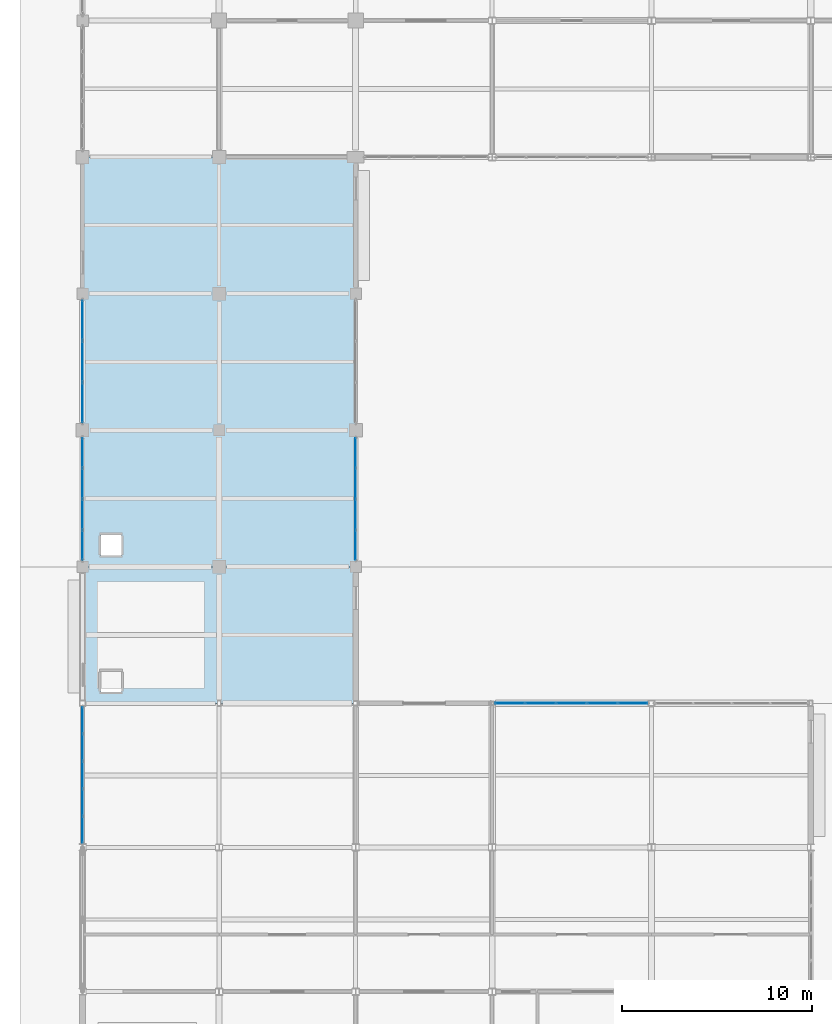
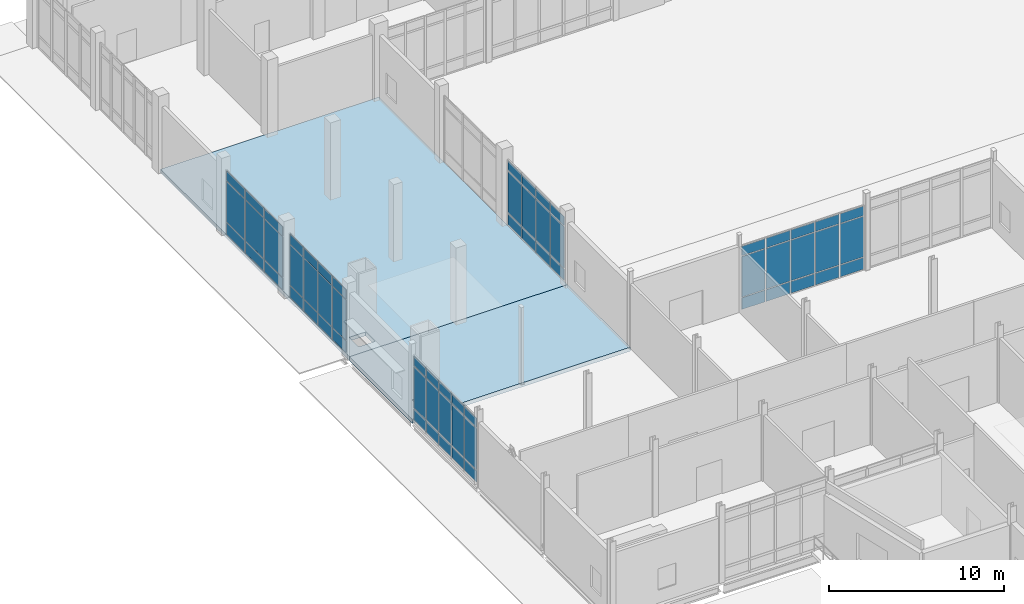
# One storey, part 146 of 229: 63 plates, 2 slabs, 5 elements without a shape of their own.
"""IFC4 building model written with IfcOpenShell, lengths in metres."""

from ifc_helpers import new_model, si_unit, direction, frame, origin, origin_2d, place, context, subcontext, project, spatial, polyline, rectangle, outline, extrude, material, layer, layer_set, type_object, element, aggregate, save


model = new_model("IFC4")

# Units and contexts
model_context = context("Model", 3, precision=1e-05, world=origin(), true_north=direction((0.0, 1.0)))
body_context = subcontext(model_context, "Body", "Model", "MODEL_VIEW")
ifc_project = project(units=[si_unit("LENGTHUNIT", "METRE"), si_unit("AREAUNIT", "SQUARE_METRE"), si_unit("VOLUMEUNIT", "CUBIC_METRE"), si_unit("PLANEANGLEUNIT", "RADIAN"), si_unit("MASSUNIT", "GRAM", prefix="KILO")], contexts=[model_context])

# Site, building, storey
site_placement = place(None, origin())
site = spatial("IfcSite", under=ifc_project, at=site_placement, CompositionType="ELEMENT")
building_placement = place(site_placement, origin())
building = spatial("IfcBuilding", under=site, at=building_placement, Name="Calvrana Isthmian Art Gallery", CompositionType="ELEMENT")
storey_placement = place(building_placement, origin())
storey = spatial("IfcBuildingStorey", under=building, at=storey_placement, Name="L00", CompositionType="ELEMENT", Elevation=0.0)

# Curtain wall, plates
ifc_material_1 = material(Name="Anodized bronze aluminium 6063-T6", Category="aluminium")
ifc_layer_1 = layer(ifc_material_1, 0.179931640625, Name="Anodized bronze aluminium 6063-T6")
ifc_layer_set_1 = layer_set([ifc_layer_1], Name="Anodized bronze aluminium 6063-T6")
curtain_wall_type_1 = type_object("IfcCurtainWallType", Name="CW-UNIT-081X45", PredefinedType="USERDEFINED", material=ifc_layer_set_1)
curtain_wall_1_placement = place(storey_placement, origin())
curtain_wall_1 = element("IfcCurtainWall", 1, at=curtain_wall_1_placement, inside=storey, type_object=curtain_wall_type_1, Name="Curtain wall CW-030", ObjectType="UNITISED CURTAIN WALL", PredefinedType="USERDEFINED")
ifc_material_2 = material(Name="Polychrome glazed terracotta", Category="masonry")
ifc_layer_2 = layer(ifc_material_2, 0.033935546875, Name="Polychrome glazed terracotta")
ifc_layer_set_2 = layer_set([ifc_layer_2], Name="Polychrome glazed terracotta")
plate_type_1 = type_object("IfcPlateType", Name="CWP-SPANDREL-34", PredefinedType="CURTAIN_PANEL", material=ifc_layer_set_2)
plate_1_placement = place(storey_placement, frame((22.53125, 69.60009765625, 0.06005859375), z_axis=(0.0, 0.0, 1.0), x_axis=(1.0, 0.0, 0.0)))
plate_1 = element("IfcPlate", 2, at=plate_1_placement, type_object=plate_type_1, Name="CW-030 panel 1.1", PredefinedType="CURTAIN_PANEL", context=body_context, shape_type="SweptSolid", body=[
    extrude(rectangle(XDim=1.539306640625, YDim=0.033935546875, at=origin_2d()), origin(), (0.0, 0.0, 1.0), 0.81005859375),
])
plate_2_placement = place(storey_placement, frame((22.53125, 69.60009765625, 0.93017578125), z_axis=(0.0, 0.0, 1.0), x_axis=(1.0, 0.0, 0.0)))
plate_2 = element("IfcPlate", 3, at=plate_2_placement, type_object=plate_type_1, Name="CW-030 panel 1.2", PredefinedType="CURTAIN_PANEL", context=body_context, shape_type="SweptSolid", body=[
    extrude(rectangle(XDim=1.539306640625, YDim=0.033935546875, at=origin_2d()), origin(), (0.0, 0.0, 1.0), 2.818115234375),
])
plate_3_placement = place(storey_placement, frame((22.53125, 69.60009765625, 3.80810546875), z_axis=(0.0, 0.0, 1.0), x_axis=(1.0, 0.0, 0.0)))
plate_3 = element("IfcPlate", 4, at=plate_3_placement, type_object=plate_type_1, Name="CW-030 panel 1.3", PredefinedType="CURTAIN_PANEL", context=body_context, shape_type="SweptSolid", body=[
    extrude(rectangle(XDim=1.539306640625, YDim=0.033935546875, at=origin_2d()), origin(), (0.0, 0.0, 1.0), 0.659912109375),
])
plate_4_placement = place(storey_placement, frame((24.1455078125, 69.60009765625, 0.06005859375), z_axis=(0.0, 0.0, 1.0), x_axis=(1.0, 0.0, 0.0)))
plate_4 = element("IfcPlate", 5, at=plate_4_placement, type_object=plate_type_1, Name="CW-030 panel 2.1", PredefinedType="CURTAIN_PANEL", context=body_context, shape_type="SweptSolid", body=[
    extrude(rectangle(XDim=1.569091796875, YDim=0.033935546875, at=origin_2d()), origin(), (0.0, 0.0, 1.0), 0.81005859375),
])
plate_5_placement = place(storey_placement, frame((24.1455078125, 69.60009765625, 0.93017578125), z_axis=(0.0, 0.0, 1.0), x_axis=(1.0, 0.0, 0.0)))
plate_5 = element("IfcPlate", 6, at=plate_5_placement, type_object=plate_type_1, Name="CW-030 panel 2.2", PredefinedType="CURTAIN_PANEL", context=body_context, shape_type="SweptSolid", body=[
    extrude(rectangle(XDim=1.569091796875, YDim=0.033935546875, at=origin_2d()), origin(), (0.0, 0.0, 1.0), 2.818115234375),
])
plate_6_placement = place(storey_placement, frame((24.1455078125, 69.60009765625, 3.80810546875), z_axis=(0.0, 0.0, 1.0), x_axis=(1.0, 0.0, 0.0)))
plate_6 = element("IfcPlate", 7, at=plate_6_placement, type_object=plate_type_1, Name="CW-030 panel 2.3", PredefinedType="CURTAIN_PANEL", context=body_context, shape_type="SweptSolid", body=[
    extrude(rectangle(XDim=1.569091796875, YDim=0.033935546875, at=origin_2d()), origin(), (0.0, 0.0, 1.0), 0.659912109375),
])
plate_7_placement = place(storey_placement, frame((25.774658203125, 69.60009765625, 0.06005859375), z_axis=(0.0, 0.0, 1.0), x_axis=(1.0, 0.0, 0.0)))
plate_7 = element("IfcPlate", 8, at=plate_7_placement, type_object=plate_type_1, Name="CW-030 panel 3.1", PredefinedType="CURTAIN_PANEL", context=body_context, shape_type="SweptSolid", body=[
    extrude(rectangle(XDim=1.569091796875, YDim=0.033935546875, at=origin_2d()), origin(), (0.0, 0.0, 1.0), 0.81005859375),
])
plate_8_placement = place(storey_placement, frame((25.774658203125, 69.60009765625, 0.93017578125), z_axis=(0.0, 0.0, 1.0), x_axis=(1.0, 0.0, 0.0)))
plate_8 = element("IfcPlate", 9, at=plate_8_placement, type_object=plate_type_1, Name="CW-030 panel 3.2", PredefinedType="CURTAIN_PANEL", context=body_context, shape_type="SweptSolid", body=[
    extrude(rectangle(XDim=1.569091796875, YDim=0.033935546875, at=origin_2d()), origin(), (0.0, 0.0, 1.0), 2.818115234375),
])
plate_9_placement = place(storey_placement, frame((25.774658203125, 69.60009765625, 3.80810546875), z_axis=(0.0, 0.0, 1.0), x_axis=(1.0, 0.0, 0.0)))
plate_9 = element("IfcPlate", 10, at=plate_9_placement, type_object=plate_type_1, Name="CW-030 panel 3.3", PredefinedType="CURTAIN_PANEL", context=body_context, shape_type="SweptSolid", body=[
    extrude(rectangle(XDim=1.569091796875, YDim=0.033935546875, at=origin_2d()), origin(), (0.0, 0.0, 1.0), 0.659912109375),
])
plate_10_placement = place(storey_placement, frame((27.40380859375, 69.60009765625, 0.06005859375), z_axis=(0.0, 0.0, 1.0), x_axis=(1.0, 0.0, 0.0)))
plate_10 = element("IfcPlate", 11, at=plate_10_placement, type_object=plate_type_1, Name="CW-030 panel 4.1", PredefinedType="CURTAIN_PANEL", context=body_context, shape_type="SweptSolid", body=[
    extrude(rectangle(XDim=1.569091796875, YDim=0.033935546875, at=origin_2d()), origin(), (0.0, 0.0, 1.0), 0.81005859375),
])
plate_11_placement = place(storey_placement, frame((27.40380859375, 69.60009765625, 0.93017578125), z_axis=(0.0, 0.0, 1.0), x_axis=(1.0, 0.0, 0.0)))
plate_11 = element("IfcPlate", 12, at=plate_11_placement, type_object=plate_type_1, Name="CW-030 panel 4.2", PredefinedType="CURTAIN_PANEL", context=body_context, shape_type="SweptSolid", body=[
    extrude(rectangle(XDim=1.569091796875, YDim=0.033935546875, at=origin_2d()), origin(), (0.0, 0.0, 1.0), 2.818115234375),
])
plate_12_placement = place(storey_placement, frame((27.40380859375, 69.60009765625, 3.80810546875), z_axis=(0.0, 0.0, 1.0), x_axis=(1.0, 0.0, 0.0)))
plate_12 = element("IfcPlate", 13, at=plate_12_placement, type_object=plate_type_1, Name="CW-030 panel 4.3", PredefinedType="CURTAIN_PANEL", context=body_context, shape_type="SweptSolid", body=[
    extrude(rectangle(XDim=1.569091796875, YDim=0.033935546875, at=origin_2d()), origin(), (0.0, 0.0, 1.0), 0.659912109375),
])
plate_13_placement = place(storey_placement, frame((29.01806640625, 69.60009765625, 0.06005859375), z_axis=(0.0, 0.0, 1.0), x_axis=(1.0, 0.0, 0.0)))
plate_13 = element("IfcPlate", 14, at=plate_13_placement, type_object=plate_type_1, Name="CW-030 panel 5.1", PredefinedType="CURTAIN_PANEL", context=body_context, shape_type="SweptSolid", body=[
    extrude(rectangle(XDim=1.539306640625, YDim=0.033935546875, at=origin_2d()), origin(), (0.0, 0.0, 1.0), 0.81005859375),
])
plate_14_placement = place(storey_placement, frame((29.01806640625, 69.60009765625, 0.93017578125), z_axis=(0.0, 0.0, 1.0), x_axis=(1.0, 0.0, 0.0)))
plate_14 = element("IfcPlate", 15, at=plate_14_placement, type_object=plate_type_1, Name="CW-030 panel 5.2", PredefinedType="CURTAIN_PANEL", context=body_context, shape_type="SweptSolid", body=[
    extrude(rectangle(XDim=1.539306640625, YDim=0.033935546875, at=origin_2d()), origin(), (0.0, 0.0, 1.0), 2.818115234375),
])
plate_15_placement = place(storey_placement, frame((29.01806640625, 69.60009765625, 3.80810546875), z_axis=(0.0, 0.0, 1.0), x_axis=(1.0, 0.0, 0.0)))
plate_15 = element("IfcPlate", 16, at=plate_15_placement, type_object=plate_type_1, Name="CW-030 panel 5.3", PredefinedType="CURTAIN_PANEL", context=body_context, shape_type="SweptSolid", body=[
    extrude(rectangle(XDim=1.539306640625, YDim=0.033935546875, at=origin_2d()), origin(), (0.0, 0.0, 1.0), 0.659912109375),
])
aggregate(curtain_wall_1, [plate_1, plate_2, plate_3, plate_4, plate_5, plate_6, plate_7, plate_8, plate_9, plate_10, plate_11, plate_12, plate_13, plate_14, plate_15])

ifc_layer_3 = layer(ifc_material_1, 0.179931640625, Name="Anodized bronze aluminium 6063-T6")
ifc_layer_set_3 = layer_set([ifc_layer_3], Name="Anodized bronze aluminium 6063-T6")
curtain_wall_type_2 = type_object("IfcCurtainWallType", Name="CW-STICK-066X45", PredefinedType="NOTDEFINED", material=ifc_layer_set_3)
curtain_wall_2_placement = place(storey_placement, origin())
curtain_wall_2 = element("IfcCurtainWall", 17, at=curtain_wall_2_placement, inside=storey, type_object=curtain_wall_type_2, Name="Curtain wall CW-050", PredefinedType="NOTDEFINED")
plate_16_placement = place(storey_placement, frame((0.0, 77.93505859375, 0.06005859375), z_axis=(0.0, 0.0, 1.0), x_axis=(0.0, 1.0, 0.0)))
plate_16 = element("IfcPlate", 18, at=plate_16_placement, type_object=plate_type_1, Name="CW-050 panel 1.1", PredefinedType="CURTAIN_PANEL", context=body_context, shape_type="SweptSolid", body=[
    extrude(rectangle(XDim=1.5400390625, YDim=0.033935546875, at=origin_2d()), origin(), (0.0, 0.0, 1.0), 0.81005859375),
])
plate_17_placement = place(storey_placement, frame((0.0, 77.93505859375, 0.93017578125), z_axis=(0.0, 0.0, 1.0), x_axis=(0.0, 1.0, 0.0)))
plate_17 = element("IfcPlate", 19, at=plate_17_placement, type_object=plate_type_1, Name="CW-050 panel 1.2", PredefinedType="CURTAIN_PANEL", context=body_context, shape_type="SweptSolid", body=[
    extrude(rectangle(XDim=1.5400390625, YDim=0.033935546875, at=origin_2d()), origin(), (0.0, 0.0, 1.0), 2.818115234375),
])
plate_18_placement = place(storey_placement, frame((0.0, 77.93505859375, 3.80810546875), z_axis=(0.0, 0.0, 1.0), x_axis=(0.0, 1.0, 0.0)))
plate_18 = element("IfcPlate", 20, at=plate_18_placement, type_object=plate_type_1, Name="CW-050 panel 1.3", PredefinedType="CURTAIN_PANEL", context=body_context, shape_type="SweptSolid", body=[
    extrude(rectangle(XDim=1.5400390625, YDim=0.033935546875, at=origin_2d()), origin(), (0.0, 0.0, 1.0), 0.659912109375),
])
plate_19_placement = place(storey_placement, frame((0.0, 79.55615234375, 0.06005859375), z_axis=(0.0, 0.0, 1.0), x_axis=(0.0, 1.0, 0.0)))
plate_19 = element("IfcPlate", 21, at=plate_19_placement, type_object=plate_type_1, Name="CW-050 panel 2.1", PredefinedType="CURTAIN_PANEL", context=body_context, shape_type="SweptSolid", body=[
    extrude(rectangle(XDim=1.572509765625, YDim=0.033935546875, at=origin_2d()), origin(), (0.0, 0.0, 1.0), 0.81005859375),
])
plate_20_placement = place(storey_placement, frame((0.0, 79.55615234375, 0.93017578125), z_axis=(0.0, 0.0, 1.0), x_axis=(0.0, 1.0, 0.0)))
plate_20 = element("IfcPlate", 22, at=plate_20_placement, type_object=plate_type_1, Name="CW-050 panel 2.2", PredefinedType="CURTAIN_PANEL", context=body_context, shape_type="SweptSolid", body=[
    extrude(rectangle(XDim=1.572509765625, YDim=0.033935546875, at=origin_2d()), origin(), (0.0, 0.0, 1.0), 2.818115234375),
])
plate_21_placement = place(storey_placement, frame((0.0, 79.55615234375, 3.80810546875), z_axis=(0.0, 0.0, 1.0), x_axis=(0.0, 1.0, 0.0)))
plate_21 = element("IfcPlate", 23, at=plate_21_placement, type_object=plate_type_1, Name="CW-050 panel 2.3", PredefinedType="CURTAIN_PANEL", context=body_context, shape_type="SweptSolid", body=[
    extrude(rectangle(XDim=1.572509765625, YDim=0.033935546875, at=origin_2d()), origin(), (0.0, 0.0, 1.0), 0.659912109375),
])
plate_22_placement = place(storey_placement, frame((0.0, 81.19384765625, 0.06005859375), z_axis=(0.0, 0.0, 1.0), x_axis=(0.0, 1.0, 0.0)))
plate_22 = element("IfcPlate", 24, at=plate_22_placement, type_object=plate_type_1, Name="CW-050 panel 3.1", PredefinedType="CURTAIN_PANEL", context=body_context, shape_type="SweptSolid", body=[
    extrude(rectangle(XDim=1.572509765625, YDim=0.033935546875, at=origin_2d()), origin(), (0.0, 0.0, 1.0), 0.81005859375),
])
plate_23_placement = place(storey_placement, frame((0.0, 81.19384765625, 0.93017578125), z_axis=(0.0, 0.0, 1.0), x_axis=(0.0, 1.0, 0.0)))
plate_23 = element("IfcPlate", 25, at=plate_23_placement, type_object=plate_type_1, Name="CW-050 panel 3.2", PredefinedType="CURTAIN_PANEL", context=body_context, shape_type="SweptSolid", body=[
    extrude(rectangle(XDim=1.572509765625, YDim=0.033935546875, at=origin_2d()), origin(), (0.0, 0.0, 1.0), 2.818115234375),
])
plate_24_placement = place(storey_placement, frame((0.0, 81.19384765625, 3.80810546875), z_axis=(0.0, 0.0, 1.0), x_axis=(0.0, 1.0, 0.0)))
plate_24 = element("IfcPlate", 26, at=plate_24_placement, type_object=plate_type_1, Name="CW-050 panel 3.3", PredefinedType="CURTAIN_PANEL", context=body_context, shape_type="SweptSolid", body=[
    extrude(rectangle(XDim=1.572509765625, YDim=0.033935546875, at=origin_2d()), origin(), (0.0, 0.0, 1.0), 0.659912109375),
])
plate_25_placement = place(storey_placement, frame((0.0, 82.81494140625, 0.06005859375), z_axis=(0.0, 0.0, 1.0), x_axis=(0.0, 1.0, 0.0)))
plate_25 = element("IfcPlate", 27, at=plate_25_placement, type_object=plate_type_1, Name="CW-050 panel 4.1", PredefinedType="CURTAIN_PANEL", context=body_context, shape_type="SweptSolid", body=[
    extrude(rectangle(XDim=1.5400390625, YDim=0.033935546875, at=origin_2d()), origin(), (0.0, 0.0, 1.0), 0.81005859375),
])
plate_26_placement = place(storey_placement, frame((0.0, 82.81494140625, 0.93017578125), z_axis=(0.0, 0.0, 1.0), x_axis=(0.0, 1.0, 0.0)))
plate_26 = element("IfcPlate", 28, at=plate_26_placement, type_object=plate_type_1, Name="CW-050 panel 4.2", PredefinedType="CURTAIN_PANEL", context=body_context, shape_type="SweptSolid", body=[
    extrude(rectangle(XDim=1.5400390625, YDim=0.033935546875, at=origin_2d()), origin(), (0.0, 0.0, 1.0), 2.818115234375),
])
plate_27_placement = place(storey_placement, frame((0.0, 82.81494140625, 3.80810546875), z_axis=(0.0, 0.0, 1.0), x_axis=(0.0, 1.0, 0.0)))
plate_27 = element("IfcPlate", 29, at=plate_27_placement, type_object=plate_type_1, Name="CW-050 panel 4.3", PredefinedType="CURTAIN_PANEL", context=body_context, shape_type="SweptSolid", body=[
    extrude(rectangle(XDim=1.5400390625, YDim=0.033935546875, at=origin_2d()), origin(), (0.0, 0.0, 1.0), 0.659912109375),
])
aggregate(curtain_wall_2, [plate_16, plate_17, plate_18, plate_19, plate_20, plate_21, plate_22, plate_23, plate_24, plate_25, plate_26, plate_27])

ifc_layer_4 = layer(ifc_material_1, 0.179931640625, Name="Anodized bronze aluminium 6063-T6")
ifc_layer_set_4 = layer_set([ifc_layer_4], Name="Anodized bronze aluminium 6063-T6")
curtain_wall_type_3 = type_object("IfcCurtainWallType", Name="CW-STICK-073X46", PredefinedType="NOTDEFINED", material=ifc_layer_set_4)
curtain_wall_3_placement = place(storey_placement, origin())
curtain_wall_3 = element("IfcCurtainWall", 30, at=curtain_wall_3_placement, inside=storey, type_object=curtain_wall_type_3, Name="Curtain wall CW-049", PredefinedType="NOTDEFINED")
ifc_material_3 = material(Name="Low-E laminated solar glass", Category="glass")
ifc_layer_5 = layer(ifc_material_3, 0.028076171875, Name="Low-E laminated solar glass")
ifc_layer_set_5 = layer_set([ifc_layer_5], Name="Low-E laminated solar glass")
plate_type_2 = type_object("IfcPlateType", Name="CWP-VISION-28", PredefinedType="CURTAIN_PANEL", material=ifc_layer_set_5)
plate_28_placement = place(storey_placement, frame((0.0, 62.923095703125, 0.074951171875), z_axis=(0.0, 0.0, 1.0), x_axis=(0.0, 1.0, 0.0)))
plate_28 = element("IfcPlate", 31, at=plate_28_placement, type_object=plate_type_2, Name="CW-049 panel 1.1", PredefinedType="CURTAIN_PANEL", context=body_context, shape_type="SweptSolid", body=[
    extrude(rectangle(XDim=1.36328125, YDim=0.028076171875, at=origin_2d()), origin(), (0.0, 0.0, 1.0), 0.78759765625),
])
plate_29_placement = place(storey_placement, frame((0.0, 62.923095703125, 0.9375), z_axis=(0.0, 0.0, 1.0), x_axis=(0.0, 1.0, 0.0)))
plate_29 = element("IfcPlate", 32, at=plate_29_placement, type_object=plate_type_2, Name="CW-049 panel 1.2", PredefinedType="CURTAIN_PANEL", context=body_context, shape_type="SweptSolid", body=[
    extrude(rectangle(XDim=1.36328125, YDim=0.028076171875, at=origin_2d()), origin(), (0.0, 0.0, 1.0), 2.882080078125),
])
plate_30_placement = place(storey_placement, frame((0.0, 62.923095703125, 3.89453125), z_axis=(0.0, 0.0, 1.0), x_axis=(0.0, 1.0, 0.0)))
plate_30 = element("IfcPlate", 33, at=plate_30_placement, type_object=plate_type_2, Name="CW-049 panel 1.3", PredefinedType="CURTAIN_PANEL", context=body_context, shape_type="SweptSolid", body=[
    extrude(rectangle(XDim=1.36328125, YDim=0.028076171875, at=origin_2d()), origin(), (0.0, 0.0, 1.0), 0.637451171875),
])
plate_31_placement = place(storey_placement, frame((0.0, 64.361328125, 0.074951171875), z_axis=(0.0, 0.0, 1.0), x_axis=(0.0, 1.0, 0.0)))
plate_31 = element("IfcPlate", 34, at=plate_31_placement, type_object=plate_type_2, Name="CW-049 panel 2.1", PredefinedType="CURTAIN_PANEL", context=body_context, shape_type="SweptSolid", body=[
    extrude(rectangle(XDim=1.393310546875, YDim=0.028076171875, at=origin_2d()), origin(), (0.0, 0.0, 1.0), 0.78759765625),
])
plate_32_placement = place(storey_placement, frame((0.0, 64.361328125, 0.9375), z_axis=(0.0, 0.0, 1.0), x_axis=(0.0, 1.0, 0.0)))
plate_32 = element("IfcPlate", 35, at=plate_32_placement, type_object=plate_type_2, Name="CW-049 panel 2.2", PredefinedType="CURTAIN_PANEL", context=body_context, shape_type="SweptSolid", body=[
    extrude(rectangle(XDim=1.393310546875, YDim=0.028076171875, at=origin_2d()), origin(), (0.0, 0.0, 1.0), 2.882080078125),
])
plate_33_placement = place(storey_placement, frame((0.0, 64.361328125, 3.89453125), z_axis=(0.0, 0.0, 1.0), x_axis=(0.0, 1.0, 0.0)))
plate_33 = element("IfcPlate", 36, at=plate_33_placement, type_object=plate_type_2, Name="CW-049 panel 2.3", PredefinedType="CURTAIN_PANEL", context=body_context, shape_type="SweptSolid", body=[
    extrude(rectangle(XDim=1.393310546875, YDim=0.028076171875, at=origin_2d()), origin(), (0.0, 0.0, 1.0), 0.637451171875),
])
plate_34_placement = place(storey_placement, frame((0.0, 65.814453125, 0.074951171875), z_axis=(0.0, 0.0, 1.0), x_axis=(0.0, 1.0, 0.0)))
plate_34 = element("IfcPlate", 37, at=plate_34_placement, type_object=plate_type_2, Name="CW-049 panel 3.1", PredefinedType="CURTAIN_PANEL", context=body_context, shape_type="SweptSolid", body=[
    extrude(rectangle(XDim=1.393310546875, YDim=0.028076171875, at=origin_2d()), origin(), (0.0, 0.0, 1.0), 0.78759765625),
])
plate_35_placement = place(storey_placement, frame((0.0, 65.814453125, 0.9375), z_axis=(0.0, 0.0, 1.0), x_axis=(0.0, 1.0, 0.0)))
plate_35 = element("IfcPlate", 38, at=plate_35_placement, type_object=plate_type_2, Name="CW-049 panel 3.2", PredefinedType="CURTAIN_PANEL", context=body_context, shape_type="SweptSolid", body=[
    extrude(rectangle(XDim=1.393310546875, YDim=0.028076171875, at=origin_2d()), origin(), (0.0, 0.0, 1.0), 2.882080078125),
])
plate_36_placement = place(storey_placement, frame((0.0, 65.814453125, 3.89453125), z_axis=(0.0, 0.0, 1.0), x_axis=(0.0, 1.0, 0.0)))
plate_36 = element("IfcPlate", 39, at=plate_36_placement, type_object=plate_type_2, Name="CW-049 panel 3.3", PredefinedType="CURTAIN_PANEL", context=body_context, shape_type="SweptSolid", body=[
    extrude(rectangle(XDim=1.393310546875, YDim=0.028076171875, at=origin_2d()), origin(), (0.0, 0.0, 1.0), 0.637451171875),
])
plate_37_placement = place(storey_placement, frame((0.0, 67.267822265625, 0.074951171875), z_axis=(0.0, 0.0, 1.0), x_axis=(0.0, 1.0, 0.0)))
plate_37 = element("IfcPlate", 40, at=plate_37_placement, type_object=plate_type_2, Name="CW-049 panel 4.1", PredefinedType="CURTAIN_PANEL", context=body_context, shape_type="SweptSolid", body=[
    extrude(rectangle(XDim=1.393310546875, YDim=0.028076171875, at=origin_2d()), origin(), (0.0, 0.0, 1.0), 0.78759765625),
])
plate_38_placement = place(storey_placement, frame((0.0, 67.267822265625, 0.9375), z_axis=(0.0, 0.0, 1.0), x_axis=(0.0, 1.0, 0.0)))
plate_38 = element("IfcPlate", 41, at=plate_38_placement, type_object=plate_type_2, Name="CW-049 panel 4.2", PredefinedType="CURTAIN_PANEL", context=body_context, shape_type="SweptSolid", body=[
    extrude(rectangle(XDim=1.393310546875, YDim=0.028076171875, at=origin_2d()), origin(), (0.0, 0.0, 1.0), 2.882080078125),
])
plate_39_placement = place(storey_placement, frame((0.0, 67.267822265625, 3.89453125), z_axis=(0.0, 0.0, 1.0), x_axis=(0.0, 1.0, 0.0)))
plate_39 = element("IfcPlate", 42, at=plate_39_placement, type_object=plate_type_2, Name="CW-049 panel 4.3", PredefinedType="CURTAIN_PANEL", context=body_context, shape_type="SweptSolid", body=[
    extrude(rectangle(XDim=1.393310546875, YDim=0.028076171875, at=origin_2d()), origin(), (0.0, 0.0, 1.0), 0.637451171875),
])
plate_40_placement = place(storey_placement, frame((0.0, 68.7060546875, 0.074951171875), z_axis=(0.0, 0.0, 1.0), x_axis=(0.0, 1.0, 0.0)))
plate_40 = element("IfcPlate", 43, at=plate_40_placement, type_object=plate_type_2, Name="CW-049 panel 5.1", PredefinedType="CURTAIN_PANEL", context=body_context, shape_type="SweptSolid", body=[
    extrude(rectangle(XDim=1.36328125, YDim=0.028076171875, at=origin_2d()), origin(), (0.0, 0.0, 1.0), 0.78759765625),
])
plate_41_placement = place(storey_placement, frame((0.0, 68.7060546875, 0.9375), z_axis=(0.0, 0.0, 1.0), x_axis=(0.0, 1.0, 0.0)))
plate_41 = element("IfcPlate", 44, at=plate_41_placement, type_object=plate_type_2, Name="CW-049 panel 5.2", PredefinedType="CURTAIN_PANEL", context=body_context, shape_type="SweptSolid", body=[
    extrude(rectangle(XDim=1.36328125, YDim=0.028076171875, at=origin_2d()), origin(), (0.0, 0.0, 1.0), 2.882080078125),
])
plate_42_placement = place(storey_placement, frame((0.0, 68.7060546875, 3.89453125), z_axis=(0.0, 0.0, 1.0), x_axis=(0.0, 1.0, 0.0)))
plate_42 = element("IfcPlate", 45, at=plate_42_placement, type_object=plate_type_2, Name="CW-049 panel 5.3", PredefinedType="CURTAIN_PANEL", context=body_context, shape_type="SweptSolid", body=[
    extrude(rectangle(XDim=1.36328125, YDim=0.028076171875, at=origin_2d()), origin(), (0.0, 0.0, 1.0), 0.637451171875),
])
aggregate(curtain_wall_3, [plate_28, plate_29, plate_30, plate_31, plate_32, plate_33, plate_34, plate_35, plate_36, plate_37, plate_38, plate_39, plate_40, plate_41, plate_42])

curtain_wall_4_placement = place(storey_placement, origin())
curtain_wall_4 = element("IfcCurtainWall", 46, at=curtain_wall_4_placement, inside=storey, type_object=curtain_wall_type_2, Name="Curtain wall CW-051", PredefinedType="NOTDEFINED")
plate_43_placement = place(storey_placement, frame((0.0, 85.459228515625, 0.06005859375), z_axis=(0.0, 0.0, 1.0), x_axis=(0.0, 1.0, 0.0)))
plate_43 = element("IfcPlate", 47, at=plate_43_placement, type_object=plate_type_2, Name="CW-051 panel 1.1", PredefinedType="CURTAIN_PANEL", context=body_context, shape_type="SweptSolid", body=[
    extrude(rectangle(XDim=2.078369140625, YDim=0.028076171875, at=origin_2d()), origin(), (0.0, 0.0, 1.0), 0.81005859375),
])
plate_44_placement = place(storey_placement, frame((0.0, 85.459228515625, 0.93017578125), z_axis=(0.0, 0.0, 1.0), x_axis=(0.0, 1.0, 0.0)))
plate_44 = element("IfcPlate", 48, at=plate_44_placement, type_object=plate_type_2, Name="CW-051 panel 1.2", PredefinedType="CURTAIN_PANEL", context=body_context, shape_type="SweptSolid", body=[
    extrude(rectangle(XDim=2.078369140625, YDim=0.028076171875, at=origin_2d()), origin(), (0.0, 0.0, 1.0), 2.822998046875),
])
plate_45_placement = place(storey_placement, frame((0.0, 85.459228515625, 3.81298828125), z_axis=(0.0, 0.0, 1.0), x_axis=(0.0, 1.0, 0.0)))
plate_45 = element("IfcPlate", 49, at=plate_45_placement, type_object=plate_type_2, Name="CW-051 panel 1.3", PredefinedType="CURTAIN_PANEL", context=body_context, shape_type="SweptSolid", body=[
    extrude(rectangle(XDim=2.078369140625, YDim=0.028076171875, at=origin_2d()), origin(), (0.0, 0.0, 1.0), 0.659912109375),
])
plate_46_placement = place(storey_placement, frame((0.0, 87.625, 0.06005859375), z_axis=(0.0, 0.0, 1.0), x_axis=(0.0, 1.0, 0.0)))
plate_46 = element("IfcPlate", 50, at=plate_46_placement, type_object=plate_type_2, Name="CW-051 panel 2.1", PredefinedType="CURTAIN_PANEL", context=body_context, shape_type="SweptSolid", body=[
    extrude(rectangle(XDim=2.11328125, YDim=0.028076171875, at=origin_2d()), origin(), (0.0, 0.0, 1.0), 0.81005859375),
])
plate_47_placement = place(storey_placement, frame((0.0, 87.625, 0.93017578125), z_axis=(0.0, 0.0, 1.0), x_axis=(0.0, 1.0, 0.0)))
plate_47 = element("IfcPlate", 51, at=plate_47_placement, type_object=plate_type_2, Name="CW-051 panel 2.2", PredefinedType="CURTAIN_PANEL", context=body_context, shape_type="SweptSolid", body=[
    extrude(rectangle(XDim=2.11328125, YDim=0.028076171875, at=origin_2d()), origin(), (0.0, 0.0, 1.0), 2.822998046875),
])
plate_48_placement = place(storey_placement, frame((0.0, 87.625, 3.81298828125), z_axis=(0.0, 0.0, 1.0), x_axis=(0.0, 1.0, 0.0)))
plate_48 = element("IfcPlate", 52, at=plate_48_placement, type_object=plate_type_2, Name="CW-051 panel 2.3", PredefinedType="CURTAIN_PANEL", context=body_context, shape_type="SweptSolid", body=[
    extrude(rectangle(XDim=2.11328125, YDim=0.028076171875, at=origin_2d()), origin(), (0.0, 0.0, 1.0), 0.659912109375),
])
plate_49_placement = place(storey_placement, frame((0.0, 89.790771484375, 0.06005859375), z_axis=(0.0, 0.0, 1.0), x_axis=(0.0, 1.0, 0.0)))
plate_49 = element("IfcPlate", 53, at=plate_49_placement, type_object=plate_type_2, Name="CW-051 panel 3.1", PredefinedType="CURTAIN_PANEL", context=body_context, shape_type="SweptSolid", body=[
    extrude(rectangle(XDim=2.078369140625, YDim=0.028076171875, at=origin_2d()), origin(), (0.0, 0.0, 1.0), 0.81005859375),
])
plate_50_placement = place(storey_placement, frame((0.0, 89.790771484375, 0.93017578125), z_axis=(0.0, 0.0, 1.0), x_axis=(0.0, 1.0, 0.0)))
plate_50 = element("IfcPlate", 54, at=plate_50_placement, type_object=plate_type_2, Name="CW-051 panel 3.2", PredefinedType="CURTAIN_PANEL", context=body_context, shape_type="SweptSolid", body=[
    extrude(rectangle(XDim=2.078369140625, YDim=0.028076171875, at=origin_2d()), origin(), (0.0, 0.0, 1.0), 2.822998046875),
])
plate_51_placement = place(storey_placement, frame((0.0, 89.790771484375, 3.81298828125), z_axis=(0.0, 0.0, 1.0), x_axis=(0.0, 1.0, 0.0)))
plate_51 = element("IfcPlate", 55, at=plate_51_placement, type_object=plate_type_2, Name="CW-051 panel 3.3", PredefinedType="CURTAIN_PANEL", context=body_context, shape_type="SweptSolid", body=[
    extrude(rectangle(XDim=2.078369140625, YDim=0.028076171875, at=origin_2d()), origin(), (0.0, 0.0, 1.0), 0.659912109375),
])
aggregate(curtain_wall_4, [plate_43, plate_44, plate_45, plate_46, plate_47, plate_48, plate_49, plate_50, plate_51])

ifc_layer_6 = layer(ifc_material_1, 0.179931640625, Name="Anodized bronze aluminium 6063-T6")
ifc_layer_set_6 = layer_set([ifc_layer_6], Name="Anodized bronze aluminium 6063-T6")
curtain_wall_type_4 = type_object("IfcCurtainWallType", Name="CW-UNIT-066X46", PredefinedType="USERDEFINED", material=ifc_layer_set_6)
curtain_wall_5_placement = place(storey_placement, origin())
curtain_wall_5 = element("IfcCurtainWall", 56, at=curtain_wall_5_placement, inside=storey, type_object=curtain_wall_type_4, Name="Curtain wall CW-054", ObjectType="UNITISED CURTAIN WALL", PredefinedType="USERDEFINED")
plate_52_placement = place(storey_placement, frame((14.39990234375, 82.816162109375, 0.074951171875), z_axis=(0.0, 0.0, 1.0), x_axis=(0.0, -1.0, 0.0)))
plate_52 = element("IfcPlate", 57, at=plate_52_placement, type_object=plate_type_2, Name="CW-054 panel 1.1", PredefinedType="CURTAIN_PANEL", context=body_context, shape_type="SweptSolid", body=[
    extrude(rectangle(XDim=1.547607421875, YDim=0.028076171875, at=origin_2d()), origin(), (0.0, 0.0, 1.0), 0.78759765625),
])
plate_53_placement = place(storey_placement, frame((14.39990234375, 82.816162109375, 0.9375), z_axis=(0.0, 0.0, 1.0), x_axis=(0.0, -1.0, 0.0)))
plate_53 = element("IfcPlate", 58, at=plate_53_placement, type_object=plate_type_2, Name="CW-054 panel 1.2", PredefinedType="CURTAIN_PANEL", context=body_context, shape_type="SweptSolid", body=[
    extrude(rectangle(XDim=1.547607421875, YDim=0.028076171875, at=origin_2d()), origin(), (0.0, 0.0, 1.0), 2.882080078125),
])
plate_54_placement = place(storey_placement, frame((14.39990234375, 82.816162109375, 3.89453125), z_axis=(0.0, 0.0, 1.0), x_axis=(0.0, -1.0, 0.0)))
plate_54 = element("IfcPlate", 59, at=plate_54_placement, type_object=plate_type_2, Name="CW-054 panel 1.3", PredefinedType="CURTAIN_PANEL", context=body_context, shape_type="SweptSolid", body=[
    extrude(rectangle(XDim=1.547607421875, YDim=0.028076171875, at=origin_2d()), origin(), (0.0, 0.0, 1.0), 0.637451171875),
])
plate_55_placement = place(storey_placement, frame((14.39990234375, 81.19384765625, 0.074951171875), z_axis=(0.0, 0.0, 1.0), x_axis=(0.0, -1.0, 0.0)))
plate_55 = element("IfcPlate", 60, at=plate_55_placement, type_object=plate_type_2, Name="CW-054 panel 2.1", PredefinedType="CURTAIN_PANEL", context=body_context, shape_type="SweptSolid", body=[
    extrude(rectangle(XDim=1.577392578125, YDim=0.028076171875, at=origin_2d()), origin(), (0.0, 0.0, 1.0), 0.78759765625),
])
plate_56_placement = place(storey_placement, frame((14.39990234375, 81.19384765625, 0.9375), z_axis=(0.0, 0.0, 1.0), x_axis=(0.0, -1.0, 0.0)))
plate_56 = element("IfcPlate", 61, at=plate_56_placement, type_object=plate_type_2, Name="CW-054 panel 2.2", PredefinedType="CURTAIN_PANEL", context=body_context, shape_type="SweptSolid", body=[
    extrude(rectangle(XDim=1.577392578125, YDim=0.028076171875, at=origin_2d()), origin(), (0.0, 0.0, 1.0), 2.882080078125),
])
plate_57_placement = place(storey_placement, frame((14.39990234375, 81.19384765625, 3.89453125), z_axis=(0.0, 0.0, 1.0), x_axis=(0.0, -1.0, 0.0)))
plate_57 = element("IfcPlate", 62, at=plate_57_placement, type_object=plate_type_2, Name="CW-054 panel 2.3", PredefinedType="CURTAIN_PANEL", context=body_context, shape_type="SweptSolid", body=[
    extrude(rectangle(XDim=1.577392578125, YDim=0.028076171875, at=origin_2d()), origin(), (0.0, 0.0, 1.0), 0.637451171875),
])
plate_58_placement = place(storey_placement, frame((14.39990234375, 79.55615234375, 0.074951171875), z_axis=(0.0, 0.0, 1.0), x_axis=(0.0, -1.0, 0.0)))
plate_58 = element("IfcPlate", 63, at=plate_58_placement, type_object=plate_type_2, Name="CW-054 panel 3.1", PredefinedType="CURTAIN_PANEL", context=body_context, shape_type="SweptSolid", body=[
    extrude(rectangle(XDim=1.577392578125, YDim=0.028076171875, at=origin_2d()), origin(), (0.0, 0.0, 1.0), 0.78759765625),
])
plate_59_placement = place(storey_placement, frame((14.39990234375, 79.55615234375, 0.9375), z_axis=(0.0, 0.0, 1.0), x_axis=(0.0, -1.0, 0.0)))
plate_59 = element("IfcPlate", 64, at=plate_59_placement, type_object=plate_type_2, Name="CW-054 panel 3.2", PredefinedType="CURTAIN_PANEL", context=body_context, shape_type="SweptSolid", body=[
    extrude(rectangle(XDim=1.577392578125, YDim=0.028076171875, at=origin_2d()), origin(), (0.0, 0.0, 1.0), 2.882080078125),
])
plate_60_placement = place(storey_placement, frame((14.39990234375, 79.55615234375, 3.89453125), z_axis=(0.0, 0.0, 1.0), x_axis=(0.0, -1.0, 0.0)))
plate_60 = element("IfcPlate", 65, at=plate_60_placement, type_object=plate_type_2, Name="CW-054 panel 3.3", PredefinedType="CURTAIN_PANEL", context=body_context, shape_type="SweptSolid", body=[
    extrude(rectangle(XDim=1.577392578125, YDim=0.028076171875, at=origin_2d()), origin(), (0.0, 0.0, 1.0), 0.637451171875),
])
plate_61_placement = place(storey_placement, frame((14.39990234375, 77.933837890625, 0.074951171875), z_axis=(0.0, 0.0, 1.0), x_axis=(0.0, -1.0, 0.0)))
plate_61 = element("IfcPlate", 66, at=plate_61_placement, type_object=plate_type_2, Name="CW-054 panel 4.1", PredefinedType="CURTAIN_PANEL", context=body_context, shape_type="SweptSolid", body=[
    extrude(rectangle(XDim=1.547607421875, YDim=0.028076171875, at=origin_2d()), origin(), (0.0, 0.0, 1.0), 0.78759765625),
])
plate_62_placement = place(storey_placement, frame((14.39990234375, 77.933837890625, 0.9375), z_axis=(0.0, 0.0, 1.0), x_axis=(0.0, -1.0, 0.0)))
plate_62 = element("IfcPlate", 67, at=plate_62_placement, type_object=plate_type_2, Name="CW-054 panel 4.2", PredefinedType="CURTAIN_PANEL", context=body_context, shape_type="SweptSolid", body=[
    extrude(rectangle(XDim=1.547607421875, YDim=0.028076171875, at=origin_2d()), origin(), (0.0, 0.0, 1.0), 2.882080078125),
])
plate_63_placement = place(storey_placement, frame((14.39990234375, 77.933837890625, 3.89453125), z_axis=(0.0, 0.0, 1.0), x_axis=(0.0, -1.0, 0.0)))
plate_63 = element("IfcPlate", 68, at=plate_63_placement, type_object=plate_type_2, Name="CW-054 panel 4.3", PredefinedType="CURTAIN_PANEL", context=body_context, shape_type="SweptSolid", body=[
    extrude(rectangle(XDim=1.547607421875, YDim=0.028076171875, at=origin_2d()), origin(), (0.0, 0.0, 1.0), 0.637451171875),
])
aggregate(curtain_wall_5, [plate_52, plate_53, plate_54, plate_55, plate_56, plate_57, plate_58, plate_59, plate_60, plate_61, plate_62, plate_63])

# Slabs
ifc_material_4 = material(Name="Concrete C40/50", Category="concrete")
ifc_layer_7 = layer(ifc_material_4, 0.260009765625, Name="Concrete C40/50")
ifc_layer_set_7 = layer_set([ifc_layer_7], Name="Concrete C40/50")
slab_type_1 = type_object("IfcSlabType", Name="SLB-GAL-260", PredefinedType="FLOOR", material=ifc_layer_set_7)
slab_1_placement = place(storey_placement, frame((0.0, 0.0, -0.260009765625)))
element("IfcSlab", 69, at=slab_1_placement, inside=storey, type_object=slab_type_1, Name="Floor slab V6W_L00", PredefinedType="FLOOR", context=body_context, shape_type="SweptSolid", body=[
    extrude(outline(polyline([(0.0, 76.800048828125), (14.39990234375, 76.800048828125), (14.39990234375, 98.39990234375), (0.0, 98.39990234375), (0.0, 76.800048828125)]), holes=[polyline([(0.9599609375, 77.39990234375), (2.0400390625, 77.39990234375), (2.0400390625, 78.47998046875), (0.9599609375, 78.47998046875), (0.9599609375, 77.39990234375)])]), origin(), (0.0, 0.0, 1.0), 0.260009765625),
])
ifc_layer_8 = layer(ifc_material_4, 0.280029296875, Name="Concrete C40/50")
ifc_layer_set_8 = layer_set([ifc_layer_8], Name="Concrete C40/50")
slab_type_2 = type_object("IfcSlabType", Name="SLB-GAL-280", PredefinedType="FLOOR", material=ifc_layer_set_8)
slab_2_placement = place(storey_placement, frame((0.0, 0.0, -0.280029296875)))
element("IfcSlab", 70, at=slab_2_placement, inside=storey, type_object=slab_type_2, Name="Floor slab V3N_L00", PredefinedType="FLOOR", context=body_context, shape_type="SweptSolid", body=[
    extrude(outline(polyline([(0.0, 69.60009765625), (14.39990234375, 69.60009765625), (14.39990234375, 76.800048828125), (0.0, 76.800048828125), (0.0, 69.60009765625)]), holes=[polyline([(0.9599609375, 70.199951171875), (2.0400390625, 70.199951171875), (2.0400390625, 71.280029296875), (0.9599609375, 71.280029296875), (0.9599609375, 70.199951171875)])]), origin(), (0.0, 0.0, 1.0), 0.280029296875),
])

save(model, "model.ifc")
